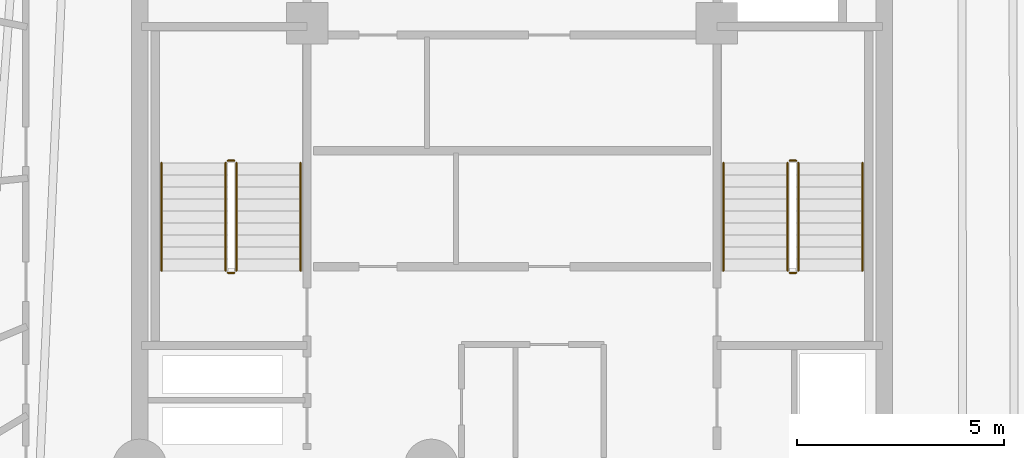
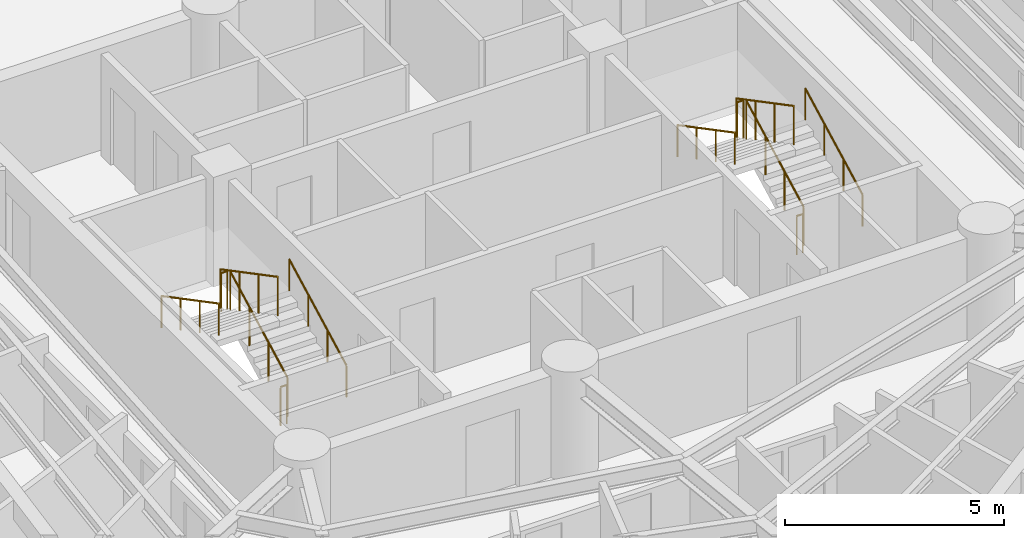
# One storey, part 7 of 7: 12 railings.
"""IFC4 building model written with IfcOpenShell, lengths in metres."""

from ifc_helpers import new_model, si_unit, direction, frame, origin, origin_2d, place, context, subcontext, project, spatial, circle, extrude, material, layer, layer_set, type_object, element, save


model = new_model("IFC4")

# Units and contexts
model_context = context("Model", 3, precision=1e-05, world=origin(), true_north=direction((0.0, 1.0)))
body_context = subcontext(model_context, "Body", "Model", "MODEL_VIEW")
ifc_project = project(units=[si_unit("LENGTHUNIT", "METRE"), si_unit("AREAUNIT", "SQUARE_METRE"), si_unit("VOLUMEUNIT", "CUBIC_METRE"), si_unit("PLANEANGLEUNIT", "RADIAN"), si_unit("MASSUNIT", "GRAM", prefix="KILO")], contexts=[model_context])

# Site, building, storey
site_placement = place(None, origin())
site = spatial("IfcSite", under=ifc_project, at=site_placement, CompositionType="ELEMENT")
building_placement = place(site_placement, origin())
building = spatial("IfcBuilding", under=site, at=building_placement, Name="Karkom Vertical University and Central Library", CompositionType="ELEMENT")
storey_placement = place(building_placement, frame((0.0, 0.0, 196.199951171875)))
storey = spatial("IfcBuildingStorey", under=building, at=storey_placement, Name="L57", CompositionType="ELEMENT", Elevation=196.199951171875)

# Railings
ifc_material_1 = material(Name="Painted galvanised steel balustrade", Category="steel")
ifc_layer_1 = layer(ifc_material_1, 0.06005859375)
ifc_layer_set_1 = layer_set([ifc_layer_1], Name="Painted galvanised steel balustrade")
railing_type_1 = type_object("IfcRailingType", Name="INT-RL-GUARD1100", PredefinedType="GUARDRAIL", material=ifc_layer_set_1)
railing_1_placement = place(storey_placement, frame((21.840087890625, 23.02001953125, 0.152587890625)))
element("IfcRailing", 1, at=railing_1_placement, inside=storey, type_object=railing_type_1, Name="Level 57 ST-1 stair guard 1", PredefinedType="GUARDRAIL", context=body_context, shape_type="SweptSolid", body=[
    extrude(circle(Radius=0.02392578125, at=origin_2d()), frame((0.0, 0.0, 1.076171875), z_axis=(0.0, 0.885065446896, 0.46546659892), x_axis=(-1.0, 0.0, 0.0)), (0.0, 0.0, 1.0), 2.94873046875),
    extrude(circle(Radius=0.02099609375, at=origin_2d()), origin(), (0.0, 0.0, 1.0), 1.052001953125),
    extrude(circle(Radius=0.02099609375, at=origin_2d()), frame((0.0, 0.869873046875, 0.45751953125)), (0.0, 0.0, 1.0), 1.052001953125),
    extrude(circle(Radius=0.02099609375, at=origin_2d()), frame((0.0, 1.739990234375, 0.9150390625)), (0.0, 0.0, 1.0), 1.052001953125),
    extrude(circle(Radius=0.02099609375, at=origin_2d()), frame((0.0, 2.60986328125, 1.37255859375)), (0.0, 0.0, 1.0), 1.052001953125),
])
railing_2_placement = place(storey_placement, frame((21.7900390625, 25.679931640625, 1.525146484375)))
element("IfcRailing", 2, at=railing_2_placement, inside=storey, type_object=railing_type_1, Name="Level 57 ST-1 stair guard 2", PredefinedType="GUARDRAIL", context=body_context, shape_type="SweptSolid", body=[
    extrude(circle(Radius=0.02392578125, at=origin_2d()), frame((0.0, 0.0, 1.076171875), z_axis=(-1.0, 0.0, 0.0), x_axis=(0.0, -1.0, 0.0)), (0.0, 0.0, 1.0), 0.16015625),
    extrude(circle(Radius=0.02099609375, at=origin_2d()), origin(), (0.0, 0.0, 1.0), 1.052001953125),
    extrude(circle(Radius=0.02099609375, at=origin_2d()), frame((-0.16015625, 0.0, 0.0)), (0.0, 0.0, 1.0), 1.052001953125),
])
railing_3_placement = place(storey_placement, frame((21.580078125, 25.6298828125, 1.677490234375)))
element("IfcRailing", 3, at=railing_3_placement, inside=storey, type_object=railing_type_1, Name="Level 57 ST-1 stair guard 3", PredefinedType="GUARDRAIL", context=body_context, shape_type="SweptSolid", body=[
    extrude(circle(Radius=0.02392578125, at=origin_2d()), frame((0.0, 0.0, 1.076171875), z_axis=(0.0, -0.885065446896, 0.46546659892), x_axis=(1.0, 0.0, 0.0)), (0.0, 0.0, 1.0), 2.94873046875),
    extrude(circle(Radius=0.02099609375, at=origin_2d()), origin(), (0.0, 0.0, 1.0), 1.052001953125),
    extrude(circle(Radius=0.02099609375, at=origin_2d()), frame((0.0, -0.869873046875, 0.45751953125)), (0.0, 0.0, 1.0), 1.052001953125),
    extrude(circle(Radius=0.02099609375, at=origin_2d()), frame((0.0, -1.739990234375, 0.9150390625)), (0.0, 0.0, 1.0), 1.052001953125),
    extrude(circle(Radius=0.02099609375, at=origin_2d()), frame((0.0, -2.60986328125, 1.37255859375)), (0.0, 0.0, 1.0), 1.052001953125),
])
railing_4_placement = place(storey_placement, frame((21.7900390625, 22.969970703125, 0.0)))
element("IfcRailing", 4, at=railing_4_placement, inside=storey, type_object=railing_type_1, Name="Level 57 ST-1 stair guard 4", PredefinedType="GUARDRAIL", context=body_context, shape_type="SweptSolid", body=[
    extrude(circle(Radius=0.02392578125, at=origin_2d()), frame((0.0, 0.0, 1.076171875), z_axis=(-1.0, 0.0, 0.0), x_axis=(0.0, -1.0, 0.0)), (0.0, 0.0, 1.0), 0.16015625),
    extrude(circle(Radius=0.02099609375, at=origin_2d()), origin(), (0.0, 0.0, 1.0), 1.052001953125),
    extrude(circle(Radius=0.02099609375, at=origin_2d()), frame((-0.16015625, 0.0, 0.0)), (0.0, 0.0, 1.0), 1.052001953125),
])
railing_5_placement = place(storey_placement, frame((35.419921875, 23.02001953125, 0.152587890625)))
element("IfcRailing", 5, at=railing_5_placement, inside=storey, type_object=railing_type_1, Name="Level 57 ST-2 stair guard 1", PredefinedType="GUARDRAIL", context=body_context, shape_type="SweptSolid", body=[
    extrude(circle(Radius=0.02392578125, at=origin_2d()), frame((0.0, 0.0, 1.076171875), z_axis=(0.0, 0.885065446896, 0.46546659892), x_axis=(-1.0, 0.0, 0.0)), (0.0, 0.0, 1.0), 2.94873046875),
    extrude(circle(Radius=0.02099609375, at=origin_2d()), origin(), (0.0, 0.0, 1.0), 1.052001953125),
    extrude(circle(Radius=0.02099609375, at=origin_2d()), frame((0.0, 0.869873046875, 0.45751953125)), (0.0, 0.0, 1.0), 1.052001953125),
    extrude(circle(Radius=0.02099609375, at=origin_2d()), frame((0.0, 1.739990234375, 0.9150390625)), (0.0, 0.0, 1.0), 1.052001953125),
    extrude(circle(Radius=0.02099609375, at=origin_2d()), frame((0.0, 2.60986328125, 1.37255859375)), (0.0, 0.0, 1.0), 1.052001953125),
])
railing_6_placement = place(storey_placement, frame((35.3701171875, 25.679931640625, 1.525146484375)))
element("IfcRailing", 6, at=railing_6_placement, inside=storey, type_object=railing_type_1, Name="Level 57 ST-2 stair guard 2", PredefinedType="GUARDRAIL", context=body_context, shape_type="SweptSolid", body=[
    extrude(circle(Radius=0.02392578125, at=origin_2d()), frame((0.0, 0.0, 1.076171875), z_axis=(-1.0, 0.0, 0.0), x_axis=(0.0, -1.0, 0.0)), (0.0, 0.0, 1.0), 0.16015625),
    extrude(circle(Radius=0.02099609375, at=origin_2d()), origin(), (0.0, 0.0, 1.0), 1.052001953125),
    extrude(circle(Radius=0.02099609375, at=origin_2d()), frame((-0.16015625, 0.0, 0.0)), (0.0, 0.0, 1.0), 1.052001953125),
])
railing_7_placement = place(storey_placement, frame((35.159912109375, 25.6298828125, 1.677490234375)))
element("IfcRailing", 7, at=railing_7_placement, inside=storey, type_object=railing_type_1, Name="Level 57 ST-2 stair guard 3", PredefinedType="GUARDRAIL", context=body_context, shape_type="SweptSolid", body=[
    extrude(circle(Radius=0.02392578125, at=origin_2d()), frame((0.0, 0.0, 1.076171875), z_axis=(0.0, -0.885065446896, 0.46546659892), x_axis=(1.0, 0.0, 0.0)), (0.0, 0.0, 1.0), 2.94873046875),
    extrude(circle(Radius=0.02099609375, at=origin_2d()), origin(), (0.0, 0.0, 1.0), 1.052001953125),
    extrude(circle(Radius=0.02099609375, at=origin_2d()), frame((0.0, -0.869873046875, 0.45751953125)), (0.0, 0.0, 1.0), 1.052001953125),
    extrude(circle(Radius=0.02099609375, at=origin_2d()), frame((0.0, -1.739990234375, 0.9150390625)), (0.0, 0.0, 1.0), 1.052001953125),
    extrude(circle(Radius=0.02099609375, at=origin_2d()), frame((0.0, -2.60986328125, 1.37255859375)), (0.0, 0.0, 1.0), 1.052001953125),
])
railing_8_placement = place(storey_placement, frame((35.3701171875, 22.969970703125, 0.0)))
element("IfcRailing", 8, at=railing_8_placement, inside=storey, type_object=railing_type_1, Name="Level 57 ST-2 stair guard 4", PredefinedType="GUARDRAIL", context=body_context, shape_type="SweptSolid", body=[
    extrude(circle(Radius=0.02392578125, at=origin_2d()), frame((0.0, 0.0, 1.076171875), z_axis=(-1.0, 0.0, 0.0), x_axis=(0.0, -1.0, 0.0)), (0.0, 0.0, 1.0), 0.16015625),
    extrude(circle(Radius=0.02099609375, at=origin_2d()), origin(), (0.0, 0.0, 1.0), 1.052001953125),
    extrude(circle(Radius=0.02099609375, at=origin_2d()), frame((-0.16015625, 0.0, 0.0)), (0.0, 0.0, 1.0), 1.052001953125),
])
ifc_material_2 = material(Name="Brushed stainless-steel tubular handrail", Category="steel")
ifc_layer_2 = layer(ifc_material_2, 0.048095703125)
ifc_layer_set_2 = layer_set([ifc_layer_2], Name="Brushed stainless-steel tubular handrail")
railing_type_2 = type_object("IfcRailingType", Name="INT-RL-HAND920", PredefinedType="HANDRAIL", material=ifc_layer_set_2)
railing_9_placement = place(storey_placement, frame((23.389892578125, 23.02001953125, 0.152587890625)))
element("IfcRailing", 9, at=railing_9_placement, inside=storey, type_object=railing_type_2, Name="Level 57 ST-1 stair handrail 1", PredefinedType="HANDRAIL", context=body_context, shape_type="SweptSolid", body=[
    extrude(circle(Radius=0.02392578125, at=origin_2d()), frame((0.0, 0.0, 0.8759765625), z_axis=(0.0, 0.885065446896, 0.46546659892), x_axis=(-1.0, 0.0, 0.0)), (0.0, 0.0, 1.0), 2.94873046875),
    extrude(circle(Radius=0.02099609375, at=origin_2d()), origin(), (0.0, 0.0, 1.0), 0.851806640625),
    extrude(circle(Radius=0.02099609375, at=origin_2d()), frame((0.0, 0.869873046875, 0.45751953125)), (0.0, 0.0, 1.0), 0.851806640625),
    extrude(circle(Radius=0.02099609375, at=origin_2d()), frame((0.0, 1.739990234375, 0.9150390625)), (0.0, 0.0, 1.0), 0.851806640625),
    extrude(circle(Radius=0.02099609375, at=origin_2d()), frame((0.0, 2.60986328125, 1.37255859375)), (0.0, 0.0, 1.0), 0.851806640625),
])
railing_10_placement = place(storey_placement, frame((20.030029296875, 25.6298828125, 1.677490234375)))
element("IfcRailing", 10, at=railing_10_placement, inside=storey, type_object=railing_type_2, Name="Level 57 ST-1 stair handrail 2", PredefinedType="HANDRAIL", context=body_context, shape_type="SweptSolid", body=[
    extrude(circle(Radius=0.02392578125, at=origin_2d()), frame((0.0, 0.0, 0.8759765625), z_axis=(0.0, -0.885065446896, 0.46546659892), x_axis=(1.0, 0.0, 0.0)), (0.0, 0.0, 1.0), 2.94873046875),
    extrude(circle(Radius=0.02099609375, at=origin_2d()), origin(), (0.0, 0.0, 1.0), 0.851806640625),
    extrude(circle(Radius=0.02099609375, at=origin_2d()), frame((0.0, -0.869873046875, 0.45751953125)), (0.0, 0.0, 1.0), 0.851806640625),
    extrude(circle(Radius=0.02099609375, at=origin_2d()), frame((0.0, -1.739990234375, 0.9150390625)), (0.0, 0.0, 1.0), 0.851806640625),
    extrude(circle(Radius=0.02099609375, at=origin_2d()), frame((0.0, -2.60986328125, 1.37255859375)), (0.0, 0.0, 1.0), 0.851806640625),
])
railing_11_placement = place(storey_placement, frame((36.969970703125, 23.02001953125, 0.152587890625)))
element("IfcRailing", 11, at=railing_11_placement, inside=storey, type_object=railing_type_2, Name="Level 57 ST-2 stair handrail 1", PredefinedType="HANDRAIL", context=body_context, shape_type="SweptSolid", body=[
    extrude(circle(Radius=0.02392578125, at=origin_2d()), frame((0.0, 0.0, 0.8759765625), z_axis=(0.0, 0.885065446896, 0.46546659892), x_axis=(-1.0, 0.0, 0.0)), (0.0, 0.0, 1.0), 2.94873046875),
    extrude(circle(Radius=0.02099609375, at=origin_2d()), origin(), (0.0, 0.0, 1.0), 0.851806640625),
    extrude(circle(Radius=0.02099609375, at=origin_2d()), frame((0.0, 0.869873046875, 0.45751953125)), (0.0, 0.0, 1.0), 0.851806640625),
    extrude(circle(Radius=0.02099609375, at=origin_2d()), frame((0.0, 1.739990234375, 0.9150390625)), (0.0, 0.0, 1.0), 0.851806640625),
    extrude(circle(Radius=0.02099609375, at=origin_2d()), frame((0.0, 2.60986328125, 1.37255859375)), (0.0, 0.0, 1.0), 0.851806640625),
])
railing_12_placement = place(storey_placement, frame((33.610107421875, 25.6298828125, 1.677490234375)))
element("IfcRailing", 12, at=railing_12_placement, inside=storey, type_object=railing_type_2, Name="Level 57 ST-2 stair handrail 2", PredefinedType="HANDRAIL", context=body_context, shape_type="SweptSolid", body=[
    extrude(circle(Radius=0.02392578125, at=origin_2d()), frame((0.0, 0.0, 0.8759765625), z_axis=(0.0, -0.885065446896, 0.46546659892), x_axis=(1.0, 0.0, 0.0)), (0.0, 0.0, 1.0), 2.94873046875),
    extrude(circle(Radius=0.02099609375, at=origin_2d()), origin(), (0.0, 0.0, 1.0), 0.851806640625),
    extrude(circle(Radius=0.02099609375, at=origin_2d()), frame((0.0, -0.869873046875, 0.45751953125)), (0.0, 0.0, 1.0), 0.851806640625),
    extrude(circle(Radius=0.02099609375, at=origin_2d()), frame((0.0, -1.739990234375, 0.9150390625)), (0.0, 0.0, 1.0), 0.851806640625),
    extrude(circle(Radius=0.02099609375, at=origin_2d()), frame((0.0, -2.60986328125, 1.37255859375)), (0.0, 0.0, 1.0), 0.851806640625),
])

save(model, "model.ifc")
